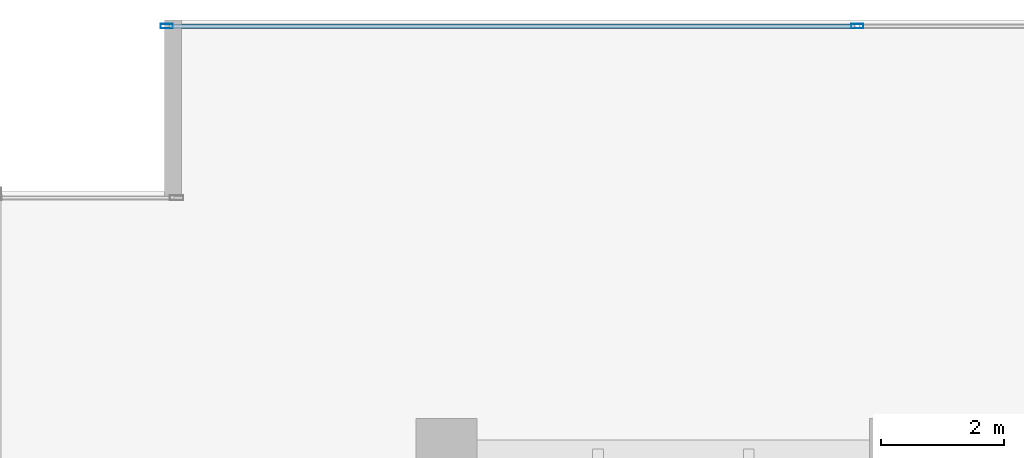
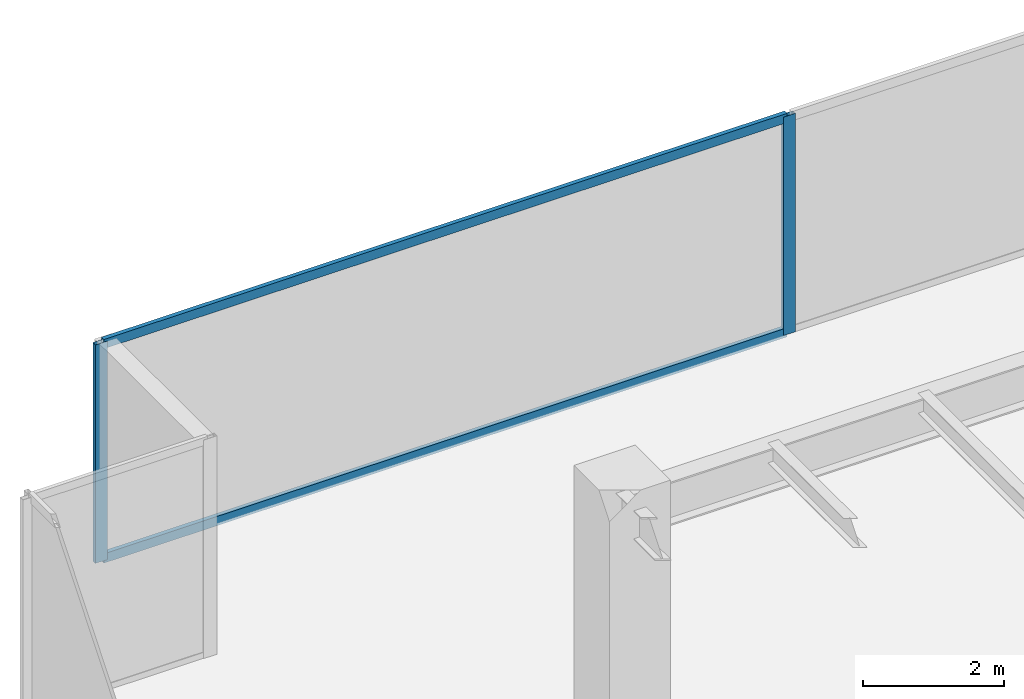
# One storey, part 15 of 35: 4 members, 1 element without a shape of its own.
"""IFC4 building model written with IfcOpenShell, lengths in metres."""

from ifc_helpers import new_model, si_unit, direction, frame, origin, origin_2d, place, context, subcontext, project, spatial, hollow_rectangle, extrude, source, transform, mapped, material, layer, layer_set, material_profile, profile_set, type_object, type_shapes, element, aggregate, save


model = new_model("IFC4")

# Units and contexts
model_context = context("Model", 3, precision=1e-05, world=origin(), true_north=direction((0.0, 1.0)))
body_context = subcontext(model_context, "Body", "Model", "MODEL_VIEW")
ifc_project = project(units=[si_unit("LENGTHUNIT", "METRE"), si_unit("AREAUNIT", "SQUARE_METRE"), si_unit("VOLUMEUNIT", "CUBIC_METRE"), si_unit("PLANEANGLEUNIT", "RADIAN"), si_unit("MASSUNIT", "GRAM", prefix="KILO")], contexts=[model_context])

# Site, building, storey
site_placement = place(None, origin())
site = spatial("IfcSite", under=ifc_project, at=site_placement, CompositionType="ELEMENT")
building_placement = place(site_placement, origin())
building = spatial("IfcBuilding", under=site, at=building_placement, Name="Haelvirn Gate Laboratories", CompositionType="ELEMENT")
storey_placement = place(building_placement, frame((0.0, 0.0, 45.699951171875)))
storey = spatial("IfcBuildingStorey", under=building, at=storey_placement, Name="L11", CompositionType="ELEMENT", Elevation=45.699951171875)

# Curtain wall, members
ifc_material_1 = material(Name="Anodised bronze unitised aluminium & triple low-E glass", Category="aluminium")
ifc_layer = layer(ifc_material_1, 0.18408203125, Name="CW-SYS-2")
ifc_layer_set = layer_set([ifc_layer], Name="Anodised bronze unitised aluminium & triple low-E glass")
curtain_wall_type = type_object("IfcCurtainWallType", Name="CW-SYS-2", PredefinedType="NOTDEFINED", material=ifc_layer_set)
curtain_wall_placement = place(storey_placement, origin())
curtain_wall = element("IfcCurtainWall", 1, at=curtain_wall_placement, inside=storey, type_object=curtain_wall_type, Name="L11 Unitised Curtain Wall CW-L11-P0-E14-1", PredefinedType="NOTDEFINED")
ifc_material_2 = material(Name="Extruded aluminium 6063-T6 (anodised bronze)", Category="aluminium")
ifc_material_profile_1 = material_profile(ifc_material_2, hollow_rectangle(XDim=0.074951171875, YDim=0.199951171875, WallThickness=0.0048828125, at=origin_2d()), Name="CWM-200x75x5")
ifc_profile_set_1 = profile_set([ifc_material_profile_1], Name="Extruded aluminium 6063-T6 (anodised bronze)")
member_type_1 = type_object("IfcMemberType", Name="CWM-T200", PredefinedType="MULLION", material=ifc_profile_set_1)
shared_shape_1 = source(origin(), body_context, "Body", "SweptSolid", [
    extrude(hollow_rectangle(XDim=0.074951171875, YDim=0.199951171875, WallThickness=0.0048828125, at=origin_2d()), origin(), (0.0, 0.0, 1.0), 3.780029296875),
])
type_shapes(member_type_1, [shared_shape_1])
member_1_placement = place(storey_placement, frame((2.83740234375, 48.5, 0.0), z_axis=(0.0, 0.0, 1.0), x_axis=(0.0, 1.0, 0.0)))
member_1 = element("IfcMember", 2, at=member_1_placement, type_object=member_type_1, Name="CW2 mullion 1", PredefinedType="MULLION", context=body_context, shape_type="MappedRepresentation", body=[
    mapped(shared_shape_1, transform((0.0, 0.0, 0.0), scale=1.0)),
])
member_2_placement = place(storey_placement, frame((14.10009765625, 48.5, 0.0), z_axis=(0.0, 0.0, 1.0), x_axis=(0.0, 1.0, 0.0)))
member_2 = element("IfcMember", 3, at=member_2_placement, type_object=member_type_1, Name="CW2 mullion 2", PredefinedType="MULLION", context=body_context, shape_type="MappedRepresentation", body=[
    mapped(shared_shape_1, transform((0.0, 0.0, 0.0), scale=1.0)),
])
ifc_material_profile_2 = material_profile(ifc_material_2, hollow_rectangle(XDim=0.070068359375, YDim=0.159912109375, WallThickness=0.0048828125, at=origin_2d()), Name="CWT-160x70x5")
ifc_profile_set_2 = profile_set([ifc_material_profile_2], Name="Extruded aluminium 6063-T6 (anodised bronze)")
member_type_2 = type_object("IfcMemberType", Name="CWT-T160", PredefinedType="USERDEFINED", material=ifc_profile_set_2)
shared_shape_2 = source(origin(), body_context, "Body", "SweptSolid", [
    extrude(hollow_rectangle(XDim=0.070068359375, YDim=0.159912109375, WallThickness=0.0048828125, at=origin_2d()), origin(), (0.0, 0.0, 1.0), 11.1875),
])
type_shapes(member_type_2, [shared_shape_2])
member_3_placement = place(storey_placement, frame((2.875, 48.5, 0.03515625), z_axis=(1.0, 0.0, 0.0), x_axis=(0.0, 1.0, 0.0)))
member_3 = element("IfcMember", 4, at=member_3_placement, type_object=member_type_2, Name="CW2 transom 1.1", ObjectType="TRANSOM", PredefinedType="USERDEFINED", context=body_context, shape_type="MappedRepresentation", body=[
    mapped(shared_shape_2, transform((0.0, 0.0, 0.0), scale=1.0)),
])
member_4_placement = place(storey_placement, frame((2.875, 48.5, 3.7451171875), z_axis=(1.0, 0.0, 0.0), x_axis=(0.0, 1.0, 0.0)))
member_4 = element("IfcMember", 5, at=member_4_placement, type_object=member_type_2, Name="CW2 transom 1.2", ObjectType="TRANSOM", PredefinedType="USERDEFINED", context=body_context, shape_type="MappedRepresentation", body=[
    mapped(shared_shape_2, transform((0.0, 0.0, 0.0), scale=1.0)),
])
aggregate(curtain_wall, [member_1, member_2, member_3, member_4])

save(model, "model.ifc")
